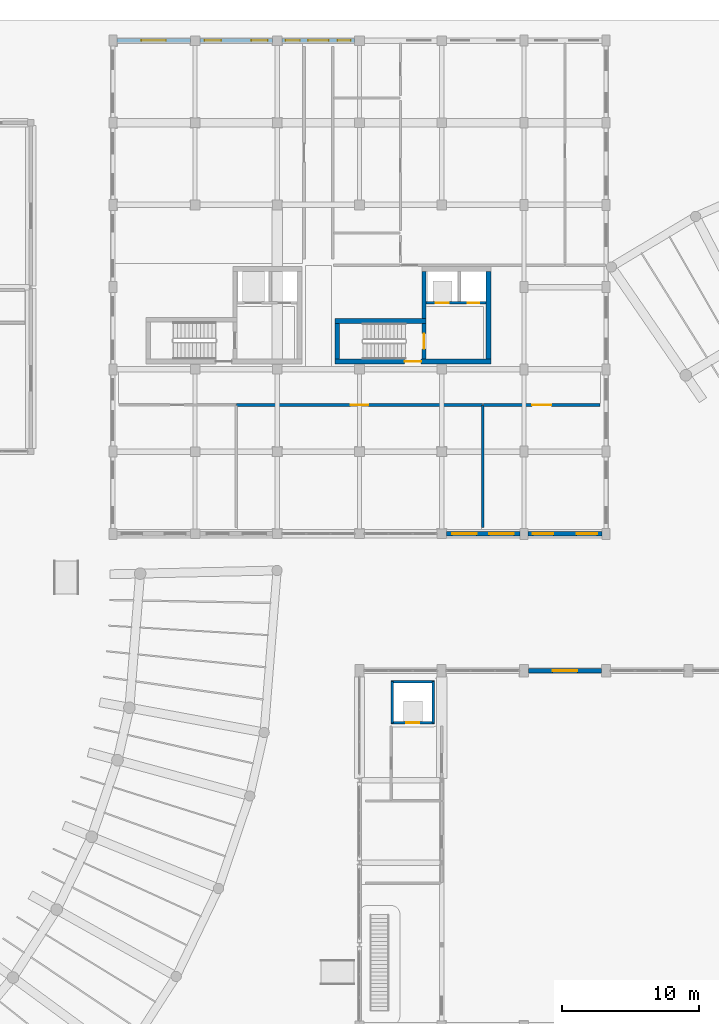
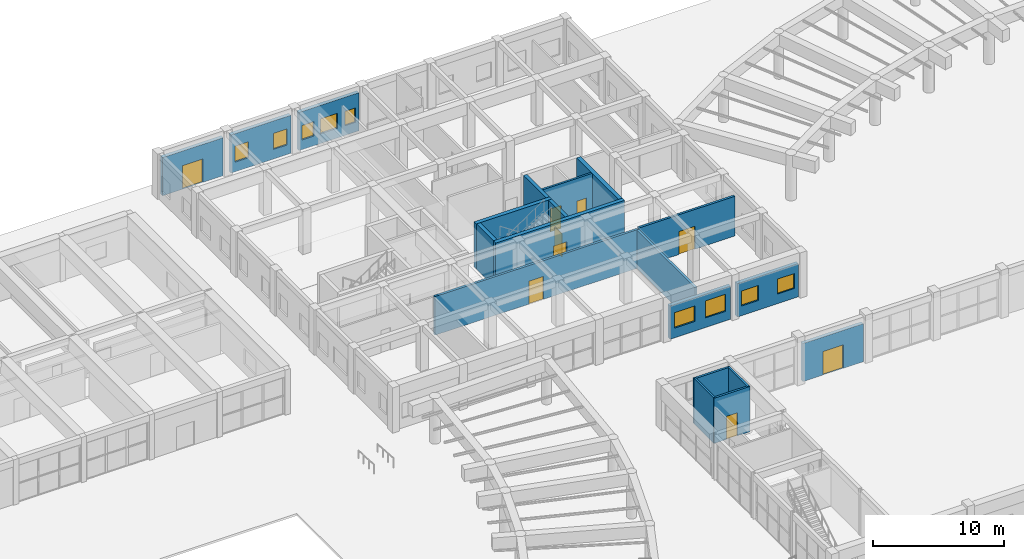
# One storey, part 56 of 76: 20 walls, 9 doors, 9 windows, 18 openings.
"""IFC4 building model written with IfcOpenShell, lengths in metres."""

from ifc_helpers import new_model, si_unit, direction, frame, frame_2d, origin, place, context, subcontext, project, spatial, rectangle, extrude, material, layer, layer_set, type_object, element, fill, save


model = new_model("IFC4")

# Units and contexts
model_context = context("Model", 3, precision=1e-05, world=origin(), true_north=direction((0.0, 1.0)))
body_context = subcontext(model_context, "Body", "Model", "MODEL_VIEW")
ifc_project = project(units=[si_unit("LENGTHUNIT", "METRE"), si_unit("AREAUNIT", "SQUARE_METRE"), si_unit("VOLUMEUNIT", "CUBIC_METRE"), si_unit("PLANEANGLEUNIT", "RADIAN"), si_unit("MASSUNIT", "GRAM", prefix="KILO"), si_unit("POWERUNIT", "WATT"), si_unit("THERMODYNAMICTEMPERATUREUNIT", "KELVIN")], contexts=[model_context])

# Site, building, storey
site_placement = place(None, origin())
site = spatial("IfcSite", under=ifc_project, at=site_placement, CompositionType="ELEMENT")
building_placement = place(site_placement, origin())
building = spatial("IfcBuilding", under=site, at=building_placement, Name="Ruvembo Vaulted Housing Court", CompositionType="ELEMENT")
storey_placement = place(building_placement, origin())
storey = spatial("IfcBuildingStorey", under=building, at=storey_placement, Name="L00", CompositionType="ELEMENT", Elevation=0.0)

# Wall, opening, door
ifc_material_1 = material(Name="Concrete C35/45", Category="concrete")
ifc_layer_1 = layer(ifc_material_1, 0.300048828125, Name="Concrete C35/45")
ifc_layer_set_1 = layer_set([ifc_layer_1], Name="Concrete C35/45")
wall_type_1 = type_object("IfcWallType", Name="WL-CORE-300", PredefinedType="SHEAR", material=ifc_layer_set_1)
wall_1_placement = place(storey_placement, frame((70.699951171875, 90.75, 0.0), z_axis=(0.0, 0.0, 1.0), x_axis=(0.0, 1.0, 0.0)))
wall_1 = element("IfcWall", 1, at=wall_1_placement, inside=storey, type_object=wall_type_1, Name="Core B2 L00 Stair-Lobby Shear Wall", PredefinedType="SHEAR", context=body_context, shape_type="SweptSolid", body=[
    extrude(rectangle(XDim=2.60009765625, YDim=0.300048828125, at=frame_2d((1.300048828125, 0.0))), origin(), (0.0, 0.0, 1.0), 4.22998046875),
])
opening_1_placement = place(wall_1_placement, frame((0.75, 0.0, 0.0)))
opening_1 = element("IfcOpeningElement", 2, at=opening_1_placement, cuts=wall_1, Name="Opening SD2", PredefinedType="OPENING", context=body_context, shape_type="SweptSolid", body=[
    extrude(rectangle(XDim=1.10009765625, YDim=2.14990234375, at=frame_2d((0.550048828125, 1.074951171875))), frame((0.0, 0.159912109375, 0.0), z_axis=(0.0, -1.0, 0.0), x_axis=(1.0, 0.0, 0.0)), (0.0, 0.0, 1.0), 0.320068359375),
])
ifc_material_2 = material(Name="Galvanised Painted Steel", Category="steel")
door_type_1 = type_object("IfcDoorType", Name="DR-STAIR-1100x2150", OperationType="NOTDEFINED", PredefinedType="DOOR", material=ifc_material_2)
door_1_placement = place(opening_1_placement, origin())
door_1 = element("IfcDoor", 3, at=door_1_placement, inside=storey, type_object=door_type_1, Name="Stair ST-B2 L00 Fire Door", OperationType="SINGLE_SWING_RIGHT", OverallHeight=2.14990234375, OverallWidth=1.10009765625, PredefinedType="DOOR", context=body_context, shape_type="SweptSolid", body=[
    extrude(rectangle(XDim=1.10009765625, YDim=2.14990234375, at=frame_2d((0.550048828125, 1.074951171875))), frame((0.0, 0.02490234375, 0.0), z_axis=(0.0, -1.0, 0.0), x_axis=(1.0, 0.0, 0.0)), (0.0, 0.0, 1.0), 0.050048828125),
])
fill(opening_1, door_1)

# Wall
wall_2_placement = place(storey_placement, frame((70.699951171875, 93.699951171875, 0.0), z_axis=(0.0, 0.0, 1.0), x_axis=(0.0, 1.0, 0.0)))
element("IfcWall", 4, at=wall_2_placement, inside=storey, type_object=wall_type_1, Name="Core B2 L00 Upper West Shear Wall", PredefinedType="SHEAR", context=body_context, shape_type="SweptSolid", body=[
    extrude(rectangle(XDim=3.449951171875, YDim=0.300048828125, at=frame_2d((1.72509765625, 0.0))), origin(), (0.0, 0.0, 1.0), 4.22998046875),
])

# Wall, opening, door
ifc_layer_2 = layer(ifc_material_1, 0.35009765625, Name="Concrete C35/45")
ifc_layer_set_2 = layer_set([ifc_layer_2], Name="Concrete C35/45")
wall_type_2 = type_object("IfcWallType", Name="WL-CORE-350", PredefinedType="SHEAR", material=ifc_layer_set_2)
wall_3_placement = place(storey_placement, frame((64.199951171875, 90.574951171875, 0.0), z_axis=(0.0, 0.0, 1.0), x_axis=(1.0, 0.0, 0.0)))
wall_3 = element("IfcWall", 5, at=wall_3_placement, inside=storey, type_object=wall_type_2, Name="Core B2 L00 South Shear Wall", PredefinedType="SHEAR", context=body_context, shape_type="SweptSolid", body=[
    extrude(rectangle(XDim=11.400146484375, YDim=0.35009765625, at=frame_2d((5.7001953125, 0.0))), origin(), (0.0, 0.0, 1.0), 4.22998046875),
])
opening_2_placement = place(wall_3_placement, frame((5.10009765625, 0.0, 0.0)))
opening_2 = element("IfcOpeningElement", 6, at=opening_2_placement, cuts=wall_3, Name="Opening LD3", PredefinedType="OPENING", context=body_context, shape_type="SweptSolid", body=[
    extrude(rectangle(XDim=1.199951171875, YDim=2.14990234375, at=frame_2d((0.60009765625, 1.074951171875))), frame((0.0, 0.18505859375, 0.0), z_axis=(0.0, -1.0, 0.0), x_axis=(1.0, 0.0, 0.0)), (0.0, 0.0, 1.0), 0.3701171875),
])
door_type_2 = type_object("IfcDoorType", Name="DR-LOB-1200x2150", OperationType="NOTDEFINED", PredefinedType="DOOR", material=ifc_material_2)
door_2_placement = place(opening_2_placement, origin())
door_2 = element("IfcDoor", 7, at=door_2_placement, inside=storey, type_object=door_type_2, Name="Core B2 L00 Lobby Fire Door", OperationType="SINGLE_SWING_LEFT", OverallHeight=2.14990234375, OverallWidth=1.199951171875, PredefinedType="DOOR", context=body_context, shape_type="SweptSolid", body=[
    extrude(rectangle(XDim=1.199951171875, YDim=2.14990234375, at=frame_2d((0.60009765625, 1.074951171875))), frame((0.0, 0.02490234375, 0.0), z_axis=(0.0, -1.0, 0.0), x_axis=(1.0, 0.0, 0.0)), (0.0, 0.0, 1.0), 0.050048828125),
])
fill(opening_2, door_2)

# Walls
wall_4_placement = place(storey_placement, frame((70.85009765625, 93.52490234375, 0.0), z_axis=(0.0, 0.0, 1.0), x_axis=(-1.0, 0.0, 0.0)))
element("IfcWall", 8, at=wall_4_placement, inside=storey, type_object=wall_type_2, Name="Core B2 L00 Stair North Shear Wall", PredefinedType="SHEAR", context=body_context, shape_type="SweptSolid", body=[
    extrude(rectangle(XDim=6.650146484375, YDim=0.35009765625, at=frame_2d((3.3251953125, 0.0))), origin(), (0.0, 0.0, 1.0), 4.22998046875),
])
wall_5_placement = place(storey_placement, frame((64.375, 93.35009765625, 0.0), z_axis=(0.0, 0.0, 1.0), x_axis=(0.0, -1.0, 0.0)))
element("IfcWall", 9, at=wall_5_placement, inside=storey, type_object=wall_type_2, Name="Core B2 L00 Stair West Shear Wall", PredefinedType="SHEAR", context=body_context, shape_type="SweptSolid", body=[
    extrude(rectangle(XDim=2.60009765625, YDim=0.35009765625, at=frame_2d((1.300048828125, 0.0))), origin(), (0.0, 0.0, 1.0), 4.22998046875),
])
wall_6_placement = place(storey_placement, frame((75.425048828125, 90.75, 0.0), z_axis=(0.0, 0.0, 1.0), x_axis=(0.0, 1.0, 0.0)))
element("IfcWall", 10, at=wall_6_placement, inside=storey, type_object=wall_type_2, Name="Core B2 L00 East Shear Wall", PredefinedType="SHEAR", context=body_context, shape_type="SweptSolid", body=[
    extrude(rectangle(XDim=6.39990234375, YDim=0.35009765625, at=frame_2d((3.199951171875, 0.0))), origin(), (0.0, 0.0, 1.0), 4.22998046875),
])

# Wall, opening, door
ifc_material_3 = material(Name="Concrete Blockwork 200", Category="masonry")
ifc_layer_3 = layer(ifc_material_3, 0.199951171875, Name="Concrete Blockwork 200")
ifc_layer_set_3 = layer_set([ifc_layer_3], Name="Concrete Blockwork 200")
wall_type_3 = type_object("IfcWallType", Name="WL-CORR-200", PredefinedType="SOLIDWALL", material=ifc_layer_set_3)
wall_7_placement = place(storey_placement, frame((57.0400390625, 87.39990234375, 0.0), z_axis=(0.0, 0.0, 1.0), x_axis=(1.0, 0.0, 0.0)))
wall_7 = element("IfcWall", 11, at=wall_7_placement, inside=storey, type_object=wall_type_3, Name="L00 Block B Lobby WL-INT-L00-00109", PredefinedType="SOLIDWALL", context=body_context, shape_type="SweptSolid", body=[
    extrude(rectangle(XDim=17.919921875, YDim=0.199951171875, at=frame_2d((8.9599609375, 0.0))), origin(), (0.0, 0.0, 1.0), 3.612060546875),
])
opening_3_placement = place(wall_7_placement, frame((8.31005859375, 0.0, 0.0)))
opening_3 = element("IfcOpeningElement", 12, at=opening_3_placement, cuts=wall_7, Name="Opening CD2", PredefinedType="OPENING", context=body_context, shape_type="SweptSolid", body=[
    extrude(rectangle(XDim=1.300048828125, YDim=2.14990234375, at=frame_2d((0.64990234375, 1.074951171875))), frame((0.0, 0.10986328125, 0.0), z_axis=(0.0, -1.0, 0.0), x_axis=(1.0, 0.0, 0.0)), (0.0, 0.0, 1.0), 0.219970703125),
])
ifc_material_4 = material(Name="FSC Hardwood and Engineered Timber", Category="wood")
door_type_3 = type_object("IfcDoorType", Name="DR-CIVIC-1300x2150", OperationType="NOTDEFINED", PredefinedType="DOOR", material=ifc_material_4)
door_3_placement = place(opening_3_placement, origin())
door_3 = element("IfcDoor", 13, at=door_3_placement, inside=storey, type_object=door_type_3, Name="L00 Block B Lobby Door DR-INT-L00-00047", OperationType="SINGLE_SWING_LEFT", OverallHeight=2.14990234375, OverallWidth=1.300048828125, PredefinedType="DOOR", context=body_context, shape_type="SweptSolid", body=[
    extrude(rectangle(XDim=1.300048828125, YDim=2.14990234375, at=frame_2d((0.64990234375, 1.074951171875))), frame((0.0, 0.02490234375, 0.0), z_axis=(0.0, -1.0, 0.0), x_axis=(1.0, 0.0, 0.0)), (0.0, 0.0, 1.0), 0.050048828125),
])
fill(opening_3, door_3)

# Wall
wall_8_placement = place(storey_placement, frame((75.0, 78.43994140625, 0.0), z_axis=(0.0, 0.0, 1.0), x_axis=(0.0, 1.0, 0.0)))
element("IfcWall", 14, at=wall_8_placement, inside=storey, type_object=wall_type_3, Name="L00 Lobby E WL-INT-L00-00110", PredefinedType="SOLIDWALL", context=body_context, shape_type="SweptSolid", body=[
    extrude(rectangle(XDim=8.920166015625, YDim=0.199951171875, at=frame_2d((4.4599609375, 0.0))), origin(), (0.0, 0.0, 1.0), 3.56201171875),
])

# Wall, opening, door
wall_9_placement = place(storey_placement, frame((75.0400390625, 87.39990234375, 0.0), z_axis=(0.0, 0.0, 1.0), x_axis=(1.0, 0.0, 0.0)))
wall_9 = element("IfcWall", 15, at=wall_9_placement, inside=storey, type_object=wall_type_3, Name="L00 Mobility Hub B WL-INT-L00-00111", PredefinedType="SOLIDWALL", context=body_context, shape_type="SweptSolid", body=[
    extrude(rectangle(XDim=8.52001953125, YDim=0.199951171875, at=frame_2d((4.260009765625, 0.0))), origin(), (0.0, 0.0, 1.0), 3.7119140625),
])
opening_4_placement = place(wall_9_placement, frame((3.56005859375, 0.0, 0.0)))
opening_4 = element("IfcOpeningElement", 16, at=opening_4_placement, cuts=wall_9, Name="Opening CD1", PredefinedType="OPENING", context=body_context, shape_type="SweptSolid", body=[
    extrude(rectangle(XDim=1.39990234375, YDim=2.14990234375, at=frame_2d((0.699951171875, 1.074951171875))), frame((0.0, 0.10986328125, 0.0), z_axis=(0.0, -1.0, 0.0), x_axis=(1.0, 0.0, 0.0)), (0.0, 0.0, 1.0), 0.219970703125),
])
door_type_4 = type_object("IfcDoorType", Name="DR-CIVIC-1400x2150", OperationType="NOTDEFINED", PredefinedType="DOOR", material=ifc_material_4)
door_4_placement = place(opening_4_placement, origin())
door_4 = element("IfcDoor", 17, at=door_4_placement, inside=storey, type_object=door_type_4, Name="L00 Mobility Hub B Door DR-INT-L00-00048", OperationType="SINGLE_SWING_RIGHT", OverallHeight=2.14990234375, OverallWidth=1.39990234375, PredefinedType="DOOR", context=body_context, shape_type="SweptSolid", body=[
    extrude(rectangle(XDim=1.39990234375, YDim=2.14990234375, at=frame_2d((0.699951171875, 1.074951171875))), frame((0.0, 0.02490234375, 0.0), z_axis=(0.0, -1.0, 0.0), x_axis=(1.0, 0.0, 0.0)), (0.0, 0.0, 1.0), 0.050048828125),
])
fill(opening_4, door_4)

ifc_material_5 = material(Name="Rendered Masonry 300", Category="masonry")
ifc_layer_4 = layer(ifc_material_5, 0.300048828125, Name="Rendered Masonry 300")
ifc_layer_set_4 = layer_set([ifc_layer_4], Name="Rendered Masonry 300")
wall_type_4 = type_object("IfcWallType", Name="WL-EXT-300", PredefinedType="STANDARD", material=ifc_layer_set_4)
wall_10_placement = place(storey_placement, frame((83.675048828125, 68.0, 0.0), z_axis=(0.0, 0.0, 1.0), x_axis=(-1.0, 0.0, 0.0)))
wall_10 = element("IfcWall", 18, at=wall_10_placement, inside=storey, type_object=wall_type_4, Name="Community Hall L00 Entrance Bay N3", PredefinedType="STANDARD", context=body_context, shape_type="SweptSolid", body=[
    extrude(rectangle(XDim=5.35009765625, YDim=0.300048828125, at=frame_2d((2.675048828125, 0.0))), origin(), (0.0, 0.0, 1.0), 3.56201171875),
])
opening_5_placement = place(wall_10_placement, frame((1.77490234375, 0.0, 0.0)))
opening_5 = element("IfcOpeningElement", 19, at=opening_5_placement, cuts=wall_10, Name="Opening EX1", PredefinedType="OPENING", context=body_context, shape_type="SweptSolid", body=[
    extrude(rectangle(XDim=1.800048828125, YDim=2.199951171875, at=frame_2d((0.89990234375, 1.10009765625))), frame((0.0, 0.159912109375, 0.0), z_axis=(0.0, -1.0, 0.0), x_axis=(1.0, 0.0, 0.0)), (0.0, 0.0, 1.0), 0.320068359375),
])
ifc_material_6 = material(Name="Thermally Broken Glazed Aluminium", Category="aluminium")
door_type_5 = type_object("IfcDoorType", Name="DR-EXIT-1800x2200", OperationType="NOTDEFINED", PredefinedType="DOOR", material=ifc_material_6)
door_5_placement = place(opening_5_placement, frame((1.800048828125, 0.0, 0.0), z_axis=(0.0, 0.0, 1.0), x_axis=(-1.0, 0.0, 0.0)))
door_5 = element("IfcDoor", 20, at=door_5_placement, inside=storey, type_object=door_type_5, Name="Community Hall Final Exit N3", OperationType="DOUBLE_DOOR_SINGLE_SWING", OverallHeight=2.199951171875, OverallWidth=1.800048828125, PredefinedType="DOOR", context=body_context, shape_type="SweptSolid", body=[
    extrude(rectangle(XDim=1.800048828125, YDim=2.199951171875, at=frame_2d((0.89990234375, 1.10009765625))), frame((0.0, 0.02490234375, 0.0), z_axis=(0.0, -1.0, 0.0), x_axis=(1.0, 0.0, 0.0)), (0.0, 0.0, 1.0), 0.050048828125),
])
fill(opening_5, door_5)

# Wall, openings, windows
ifc_material_7 = material(Name="Rendered Masonry 320", Category="masonry")
ifc_layer_5 = layer(ifc_material_7, 0.320068359375, Name="Rendered Masonry 320")
ifc_layer_set_5 = layer_set([ifc_layer_5], Name="Rendered Masonry 320")
wall_type_5 = type_object("IfcWallType", Name="WL-EXT-320", PredefinedType="STANDARD", material=ifc_layer_set_5)
wall_11_placement = place(storey_placement, frame((72.35009765625, 78.0, 0.0), z_axis=(0.0, 0.0, 1.0), x_axis=(1.0, 0.0, 0.0)))
wall_11 = element("IfcWall", 21, at=wall_11_placement, inside=storey, type_object=wall_type_5, Name="Block B L00 Exterior Wall COURTYARD #5", PredefinedType="STANDARD", context=body_context, shape_type="SweptSolid", body=[
    extrude(rectangle(XDim=5.349853515625, YDim=0.320068359375, at=frame_2d((2.6748046875, 0.0))), origin(), (0.0, 0.0, 1.0), 3.112060546875),
])
opening_6_placement = place(wall_11_placement, frame((0.405029296875, 0.0, 0.89990234375)))
opening_6 = element("IfcOpeningElement", 22, at=opening_6_placement, cuts=wall_11, Name="Opening W22", PredefinedType="OPENING", context=body_context, shape_type="SweptSolid", body=[
    extrude(rectangle(XDim=1.800048828125, YDim=1.449951171875, at=frame_2d((0.89990234375, 0.72509765625))), frame((0.0, 0.169921875, 0.0), z_axis=(0.0, -1.0, 0.0), x_axis=(1.0, 0.0, 0.0)), (0.0, 0.0, 1.0), 0.340087890625),
])
opening_7_placement = place(wall_11_placement, frame((3.1201171875, 0.0, 0.89990234375)))
opening_7 = element("IfcOpeningElement", 23, at=opening_7_placement, cuts=wall_11, Name="Opening W23", PredefinedType="OPENING", context=body_context, shape_type="SweptSolid", body=[
    extrude(rectangle(XDim=1.800048828125, YDim=1.60009765625, at=frame_2d((0.89990234375, 0.800048828125))), frame((0.0, 0.169921875, 0.0), z_axis=(0.0, -1.0, 0.0), x_axis=(1.0, 0.0, 0.0)), (0.0, 0.0, 1.0), 0.340087890625),
])
ifc_material_8 = material(Name="Double Solar-Control Glazing in Aluminium Frame", Category="aluminium")
window_type_1 = type_object("IfcWindowType", Name="WIN-1800x1450", PartitioningType="SINGLE_PANEL", PredefinedType="WINDOW", material=ifc_material_8)
window_1_placement = place(opening_6_placement, origin())
window_1 = element("IfcWindow", 24, at=window_1_placement, inside=storey, type_object=window_type_1, Name="Block B L00 Window #608", OverallHeight=1.449951171875, OverallWidth=1.800048828125, PartitioningType="SINGLE_PANEL", PredefinedType="WINDOW", context=body_context, shape_type="SweptSolid", body=[
    extrude(rectangle(XDim=1.800048828125, YDim=1.449951171875, at=frame_2d((0.89990234375, 0.72509765625))), frame((0.0, 0.030029296875, 0.0), z_axis=(0.0, -1.0, 0.0), x_axis=(1.0, 0.0, 0.0)), (0.0, 0.0, 1.0), 0.06005859375),
])
fill(opening_6, window_1)
window_type_2 = type_object("IfcWindowType", Name="WIN-1800x1600", PartitioningType="SINGLE_PANEL", PredefinedType="WINDOW", material=ifc_material_8)
window_2_placement = place(opening_7_placement, origin())
window_2 = element("IfcWindow", 25, at=window_2_placement, inside=storey, type_object=window_type_2, Name="Block B L00 Window #609", OverallHeight=1.60009765625, OverallWidth=1.800048828125, PartitioningType="SINGLE_PANEL", PredefinedType="WINDOW", context=body_context, shape_type="SweptSolid", body=[
    extrude(rectangle(XDim=1.800048828125, YDim=1.60009765625, at=frame_2d((0.89990234375, 0.800048828125))), frame((0.0, 0.030029296875, 0.0), z_axis=(0.0, -1.0, 0.0), x_axis=(1.0, 0.0, 0.0)), (0.0, 0.0, 1.0), 0.06005859375),
])
fill(opening_7, window_2)

wall_12_placement = place(storey_placement, frame((78.300048828125, 78.0, 0.0), z_axis=(0.0, 0.0, 1.0), x_axis=(1.0, 0.0, 0.0)))
wall_12 = element("IfcWall", 26, at=wall_12_placement, inside=storey, type_object=wall_type_5, Name="Block B L00 Exterior Wall COURTYARD #6", PredefinedType="STANDARD", context=body_context, shape_type="SweptSolid", body=[
    extrude(rectangle(XDim=5.39990234375, YDim=0.320068359375, at=frame_2d((2.699951171875, 0.0))), origin(), (0.0, 0.0, 1.0), 3.112060546875),
])
opening_8_placement = place(wall_12_placement, frame((0.35009765625, 0.0, 0.89990234375)))
opening_8 = element("IfcOpeningElement", 27, at=opening_8_placement, cuts=wall_12, Name="Opening W18", PredefinedType="OPENING", context=body_context, shape_type="SweptSolid", body=[
    extrude(rectangle(XDim=1.5, YDim=1.39990234375, at=frame_2d((0.75, 0.699951171875))), frame((0.0, 0.169921875, 0.0), z_axis=(0.0, -1.0, 0.0), x_axis=(1.0, 0.0, 0.0)), (0.0, 0.0, 1.0), 0.340087890625),
])
opening_9_placement = place(wall_12_placement, frame((3.550048828125, 0.0, 0.89990234375)))
opening_9 = element("IfcOpeningElement", 28, at=opening_9_placement, cuts=wall_12, Name="Opening W18", PredefinedType="OPENING", context=body_context, shape_type="SweptSolid", body=[
    extrude(rectangle(XDim=1.5, YDim=1.39990234375, at=frame_2d((0.75, 0.699951171875))), frame((0.0, 0.169921875, 0.0), z_axis=(0.0, -1.0, 0.0), x_axis=(1.0, 0.0, 0.0)), (0.0, 0.0, 1.0), 0.340087890625),
])
window_type_3 = type_object("IfcWindowType", Name="WIN-1500x1400", PartitioningType="SINGLE_PANEL", PredefinedType="WINDOW", material=ifc_material_8)
window_3_placement = place(opening_8_placement, origin())
window_3 = element("IfcWindow", 29, at=window_3_placement, inside=storey, type_object=window_type_3, Name="Block B L00 Window #610", OverallHeight=1.39990234375, OverallWidth=1.5, PartitioningType="SINGLE_PANEL", PredefinedType="WINDOW", context=body_context, shape_type="SweptSolid", body=[
    extrude(rectangle(XDim=1.5, YDim=1.39990234375, at=frame_2d((0.75, 0.699951171875))), frame((0.0, 0.030029296875, 0.0), z_axis=(0.0, -1.0, 0.0), x_axis=(1.0, 0.0, 0.0)), (0.0, 0.0, 1.0), 0.06005859375),
])
fill(opening_8, window_3)
window_4_placement = place(opening_9_placement, origin())
window_4 = element("IfcWindow", 30, at=window_4_placement, inside=storey, type_object=window_type_3, Name="Block B L00 Window #611", OverallHeight=1.39990234375, OverallWidth=1.5, PartitioningType="SINGLE_PANEL", PredefinedType="WINDOW", context=body_context, shape_type="SweptSolid", body=[
    extrude(rectangle(XDim=1.5, YDim=1.39990234375, at=frame_2d((0.75, 0.699951171875))), frame((0.0, 0.030029296875, 0.0), z_axis=(0.0, -1.0, 0.0), x_axis=(1.0, 0.0, 0.0)), (0.0, 0.0, 1.0), 0.06005859375),
])
fill(opening_9, window_4)

wall_13_placement = place(storey_placement, frame((65.64990234375, 114.0, 0.0), z_axis=(0.0, 0.0, 1.0), x_axis=(-1.0, 0.0, 0.0)))
wall_13 = element("IfcWall", 31, at=wall_13_placement, inside=storey, type_object=wall_type_5, Name="Block B L00 Exterior Wall STREET #4", PredefinedType="STANDARD", context=body_context, shape_type="SweptSolid", body=[
    extrude(rectangle(XDim=5.2998046875, YDim=0.320068359375, at=frame_2d((2.64990234375, 0.0))), origin(), (0.0, 0.0, 1.0), 3.56201171875),
])
opening_10_placement = place(wall_13_placement, frame((0.304931640625, 0.0, 0.89990234375)))
opening_10 = element("IfcOpeningElement", 32, at=opening_10_placement, cuts=wall_13, Name="Opening W07", PredefinedType="OPENING", context=body_context, shape_type="SweptSolid", body=[
    extrude(rectangle(XDim=0.949951171875, YDim=1.35009765625, at=frame_2d((0.47509765625, 0.675048828125))), frame((0.0, 0.169921875, 0.0), z_axis=(0.0, -1.0, 0.0), x_axis=(1.0, 0.0, 0.0)), (0.0, 0.0, 1.0), 0.340087890625),
])
opening_11_placement = place(wall_13_placement, frame((1.89990234375, 0.0, 0.89990234375)))
opening_11 = element("IfcOpeningElement", 33, at=opening_11_placement, cuts=wall_13, Name="Opening W18", PredefinedType="OPENING", context=body_context, shape_type="SweptSolid", body=[
    extrude(rectangle(XDim=1.5, YDim=1.39990234375, at=frame_2d((0.75, 0.699951171875))), frame((0.0, 0.169921875, 0.0), z_axis=(0.0, -1.0, 0.0), x_axis=(1.0, 0.0, 0.0)), (0.0, 0.0, 1.0), 0.340087890625),
])
opening_12_placement = place(wall_13_placement, frame((3.9951171875, 0.0, 0.89990234375)))
opening_12 = element("IfcOpeningElement", 34, at=opening_12_placement, cuts=wall_13, Name="Opening W09", PredefinedType="OPENING", context=body_context, shape_type="SweptSolid", body=[
    extrude(rectangle(XDim=1.050048828125, YDim=1.35009765625, at=frame_2d((0.52490234375, 0.675048828125))), frame((0.0, 0.169921875, 0.0), z_axis=(0.0, -1.0, 0.0), x_axis=(1.0, 0.0, 0.0)), (0.0, 0.0, 1.0), 0.340087890625),
])
window_type_4 = type_object("IfcWindowType", Name="WIN-0950x1350", PartitioningType="SINGLE_PANEL", PredefinedType="WINDOW", material=ifc_material_8)
window_5_placement = place(opening_10_placement, origin())
window_5 = element("IfcWindow", 35, at=window_5_placement, inside=storey, type_object=window_type_4, Name="Block B L00 Window #627", OverallHeight=1.35009765625, OverallWidth=0.949951171875, PartitioningType="SINGLE_PANEL", PredefinedType="WINDOW", context=body_context, shape_type="SweptSolid", body=[
    extrude(rectangle(XDim=0.949951171875, YDim=1.35009765625, at=frame_2d((0.47509765625, 0.675048828125))), frame((0.0, 0.030029296875, 0.0), z_axis=(0.0, -1.0, 0.0), x_axis=(1.0, 0.0, 0.0)), (0.0, 0.0, 1.0), 0.06005859375),
])
fill(opening_10, window_5)
window_type_5 = type_object("IfcWindowType", Name="WIN-1050x1350", PartitioningType="SINGLE_PANEL", PredefinedType="WINDOW", material=ifc_material_8)
window_6_placement = place(opening_12_placement, origin())
window_6 = element("IfcWindow", 36, at=window_6_placement, inside=storey, type_object=window_type_5, Name="Block B L00 Window #629", OverallHeight=1.35009765625, OverallWidth=1.050048828125, PartitioningType="SINGLE_PANEL", PredefinedType="WINDOW", context=body_context, shape_type="SweptSolid", body=[
    extrude(rectangle(XDim=1.050048828125, YDim=1.35009765625, at=frame_2d((0.52490234375, 0.675048828125))), frame((0.0, 0.030029296875, 0.0), z_axis=(0.0, -1.0, 0.0), x_axis=(1.0, 0.0, 0.0)), (0.0, 0.0, 1.0), 0.06005859375),
])
fill(opening_12, window_6)
window_7_placement = place(opening_11_placement, origin())
window_7 = element("IfcWindow", 37, at=window_7_placement, inside=storey, type_object=window_type_3, Name="Block B L00 Window #628", OverallHeight=1.39990234375, OverallWidth=1.5, PartitioningType="SINGLE_PANEL", PredefinedType="WINDOW", context=body_context, shape_type="SweptSolid", body=[
    extrude(rectangle(XDim=1.5, YDim=1.39990234375, at=frame_2d((0.75, 0.699951171875))), frame((0.0, 0.030029296875, 0.0), z_axis=(0.0, -1.0, 0.0), x_axis=(1.0, 0.0, 0.0)), (0.0, 0.0, 1.0), 0.06005859375),
])
fill(opening_11, window_7)

wall_14_placement = place(storey_placement, frame((59.64990234375, 114.0, 0.0), z_axis=(0.0, 0.0, 1.0), x_axis=(-1.0, 0.0, 0.0)))
wall_14 = element("IfcWall", 38, at=wall_14_placement, inside=storey, type_object=wall_type_5, Name="Block B L00 Exterior Wall STREET #5", PredefinedType="STANDARD", context=body_context, shape_type="SweptSolid", body=[
    extrude(rectangle(XDim=5.2998046875, YDim=0.320068359375, at=frame_2d((2.64990234375, 0.0))), origin(), (0.0, 0.0, 1.0), 3.56201171875),
])
opening_13_placement = place(wall_14_placement, frame((0.35009765625, 0.0, 0.89990234375)))
opening_13 = element("IfcOpeningElement", 39, at=opening_13_placement, cuts=wall_14, Name="Opening W14", PredefinedType="OPENING", context=body_context, shape_type="SweptSolid", body=[
    extrude(rectangle(XDim=1.199951171875, YDim=1.5, at=frame_2d((0.60009765625, 0.75))), frame((0.0, 0.169921875, 0.0), z_axis=(0.0, -1.0, 0.0), x_axis=(1.0, 0.0, 0.0)), (0.0, 0.0, 1.0), 0.340087890625),
])
opening_14_placement = place(wall_14_placement, frame((3.75, 0.0, 0.89990234375)))
opening_14 = element("IfcOpeningElement", 40, at=opening_14_placement, cuts=wall_14, Name="Opening W14", PredefinedType="OPENING", context=body_context, shape_type="SweptSolid", body=[
    extrude(rectangle(XDim=1.199951171875, YDim=1.5, at=frame_2d((0.60009765625, 0.75))), frame((0.0, 0.169921875, 0.0), z_axis=(0.0, -1.0, 0.0), x_axis=(1.0, 0.0, 0.0)), (0.0, 0.0, 1.0), 0.340087890625),
])
window_type_6 = type_object("IfcWindowType", Name="WIN-1200x1500", PartitioningType="SINGLE_PANEL", PredefinedType="WINDOW", material=ifc_material_8)
window_8_placement = place(opening_13_placement, origin())
window_8 = element("IfcWindow", 41, at=window_8_placement, inside=storey, type_object=window_type_6, Name="Block B L00 Window #630", OverallHeight=1.5, OverallWidth=1.199951171875, PartitioningType="SINGLE_PANEL", PredefinedType="WINDOW", context=body_context, shape_type="SweptSolid", body=[
    extrude(rectangle(XDim=1.199951171875, YDim=1.5, at=frame_2d((0.60009765625, 0.75))), frame((0.0, 0.030029296875, 0.0), z_axis=(0.0, -1.0, 0.0), x_axis=(1.0, 0.0, 0.0)), (0.0, 0.0, 1.0), 0.06005859375),
])
fill(opening_13, window_8)
window_9_placement = place(opening_14_placement, origin())
window_9 = element("IfcWindow", 42, at=window_9_placement, inside=storey, type_object=window_type_6, Name="Block B L00 Window #631", OverallHeight=1.5, OverallWidth=1.199951171875, PartitioningType="SINGLE_PANEL", PredefinedType="WINDOW", context=body_context, shape_type="SweptSolid", body=[
    extrude(rectangle(XDim=1.199951171875, YDim=1.5, at=frame_2d((0.60009765625, 0.75))), frame((0.0, 0.030029296875, 0.0), z_axis=(0.0, -1.0, 0.0), x_axis=(1.0, 0.0, 0.0)), (0.0, 0.0, 1.0), 0.06005859375),
])
fill(opening_14, window_9)

# Wall, opening, door
wall_15_placement = place(storey_placement, frame((53.64990234375, 114.0, 0.0), z_axis=(0.0, 0.0, 1.0), x_axis=(-1.0, 0.0, 0.0)))
wall_15 = element("IfcWall", 43, at=wall_15_placement, inside=storey, type_object=wall_type_5, Name="Block B L00 Exterior Wall STREET #6", PredefinedType="STANDARD", context=body_context, shape_type="SweptSolid", body=[
    extrude(rectangle(XDim=5.349853515625, YDim=0.320068359375, at=frame_2d((2.6748046875, 0.0))), origin(), (0.0, 0.0, 1.0), 3.56201171875),
])
opening_15_placement = place(wall_15_placement, frame((1.77490234375, 0.0, 0.0)))
opening_15 = element("IfcOpeningElement", 44, at=opening_15_placement, cuts=wall_15, Name="Opening EX1", PredefinedType="OPENING", context=body_context, shape_type="SweptSolid", body=[
    extrude(rectangle(XDim=1.800048828125, YDim=2.199951171875, at=frame_2d((0.89990234375, 1.10009765625))), frame((0.0, 0.169921875, 0.0), z_axis=(0.0, -1.0, 0.0), x_axis=(1.0, 0.0, 0.0)), (0.0, 0.0, 1.0), 0.340087890625),
])
door_6_placement = place(opening_15_placement, frame((1.800048828125, 0.0, 0.0), z_axis=(0.0, 0.0, 1.0), x_axis=(-1.0, 0.0, 0.0)))
door_6 = element("IfcDoor", 45, at=door_6_placement, inside=storey, type_object=door_type_5, Name="Block B Final Exit Door DR-EXIT-B-026", OperationType="DOUBLE_DOOR_SINGLE_SWING", OverallHeight=2.199951171875, OverallWidth=1.800048828125, PredefinedType="DOOR", context=body_context, shape_type="SweptSolid", body=[
    extrude(rectangle(XDim=1.800048828125, YDim=2.199951171875, at=frame_2d((0.89990234375, 1.10009765625))), frame((0.0, 0.02490234375, 0.0), z_axis=(0.0, -1.0, 0.0), x_axis=(1.0, 0.0, 0.0)), (0.0, 0.0, 1.0), 0.050048828125),
])
fill(opening_15, door_6)

# Wall, openings, doors
ifc_material_9 = material(Name="Fire-Rated Masonry Shaft 180", Category="masonry")
ifc_layer_6 = layer(ifc_material_9, 0.179931640625, Name="Fire-Rated Masonry Shaft 180")
ifc_layer_set_6 = layer_set([ifc_layer_6], Name="Fire-Rated Masonry Shaft 180")
wall_type_6 = type_object("IfcWallType", Name="WL-SHAFT-180", PredefinedType="SOLIDWALL", material=ifc_layer_set_6)
wall_16_placement = place(storey_placement, frame((70.85009765625, 94.85009765625, 0.0), z_axis=(0.0, 0.0, 1.0), x_axis=(1.0, 0.0, 0.0)))
wall_16 = element("IfcWall", 46, at=wall_16_placement, inside=storey, type_object=wall_type_6, Name="Core B2 L00 Lift and Riser Front Wall", PredefinedType="SOLIDWALL", context=body_context, shape_type="SweptSolid", body=[
    extrude(rectangle(XDim=4.39990234375, YDim=0.179931640625, at=frame_2d((2.199951171875, 0.0))), origin(), (0.0, 0.0, 1.0), 4.22998046875),
])
opening_16_placement = place(wall_16_placement, frame((0.72509765625, 0.0, 0.0)))
opening_16 = element("IfcOpeningElement", 47, at=opening_16_placement, cuts=wall_16, Name="Opening LD-LP-B2-L00", PredefinedType="OPENING", context=body_context, shape_type="SweptSolid", body=[
    extrude(rectangle(XDim=0.949951171875, YDim=2.14990234375, at=frame_2d((0.47509765625, 1.074951171875))), frame((0.0, 0.099853515625, 0.0), z_axis=(0.0, -1.0, 0.0), x_axis=(1.0, 0.0, 0.0)), (0.0, 0.0, 1.0), 0.199951171875),
])
opening_17_placement = place(wall_16_placement, frame((3.050048828125, 0.0, 0.0)))
opening_17 = element("IfcOpeningElement", 48, at=opening_17_placement, cuts=wall_16, Name="Opening RD1", PredefinedType="OPENING", context=body_context, shape_type="SweptSolid", body=[
    extrude(rectangle(XDim=0.85009765625, YDim=2.10009765625, at=frame_2d((0.425048828125, 1.050048828125))), frame((0.0, 0.099853515625, 0.0), z_axis=(0.0, -1.0, 0.0), x_axis=(1.0, 0.0, 0.0)), (0.0, 0.0, 1.0), 0.199951171875),
])
ifc_material_10 = material(Name="Brushed Stainless Steel 304", Category="steel")
door_type_6 = type_object("IfcDoorType", Name="DR-LIFT-0950x2150", OperationType="NOTDEFINED", PredefinedType="DOOR", material=ifc_material_10)
door_7_placement = place(opening_16_placement, origin())
door_7 = element("IfcDoor", 49, at=door_7_placement, inside=storey, type_object=door_type_6, Name="Lift LP-B2 L00 Sliding Landing Door", OperationType="SLIDING_TO_LEFT", OverallHeight=2.14990234375, OverallWidth=0.949951171875, PredefinedType="DOOR", context=body_context, shape_type="SweptSolid", body=[
    extrude(rectangle(XDim=0.949951171875, YDim=2.14990234375, at=frame_2d((0.47509765625, 1.074951171875))), frame((0.0, 0.02490234375, 0.0), z_axis=(0.0, -1.0, 0.0), x_axis=(1.0, 0.0, 0.0)), (0.0, 0.0, 1.0), 0.050048828125),
])
fill(opening_16, door_7)
door_type_7 = type_object("IfcDoorType", Name="DR-RISER-0850x2100", OperationType="NOTDEFINED", PredefinedType="DOOR", material=ifc_material_2)
door_8_placement = place(opening_17_placement, frame((0.85009765625, 0.0, 0.0), z_axis=(0.0, 0.0, 1.0), x_axis=(-1.0, 0.0, 0.0)))
door_8 = element("IfcDoor", 50, at=door_8_placement, inside=storey, type_object=door_type_7, Name="Core B2 L00 Service Riser Door", OperationType="SINGLE_SWING_LEFT", OverallHeight=2.10009765625, OverallWidth=0.85009765625, PredefinedType="DOOR", context=body_context, shape_type="SweptSolid", body=[
    extrude(rectangle(XDim=0.85009765625, YDim=2.10009765625, at=frame_2d((0.425048828125, 1.050048828125))), frame((0.0, 0.02490234375, 0.0), z_axis=(0.0, -1.0, 0.0), x_axis=(1.0, 0.0, 0.0)), (0.0, 0.0, 1.0), 0.050048828125),
])
fill(opening_17, door_8)

# Wall, opening, door
wall_17_placement = place(storey_placement, frame((68.31005859375, 64.199951171875, 0.0), z_axis=(0.0, 0.0, 1.0), x_axis=(1.0, 0.0, 0.0)))
wall_17 = element("IfcWall", 51, at=wall_17_placement, inside=storey, type_object=wall_type_6, Name="Hall Lift LP-H1 L00 Front Shaft Wall", PredefinedType="SOLIDWALL", context=body_context, shape_type="SweptSolid", body=[
    extrude(rectangle(XDim=3.179931640625, YDim=0.179931640625, at=frame_2d((1.58984375, 0.0))), origin(), (0.0, 0.0, 1.0), 4.22998046875),
])
opening_18_placement = place(wall_17_placement, frame((1.114990234375, 0.0, 0.0)))
opening_18 = element("IfcOpeningElement", 52, at=opening_18_placement, cuts=wall_17, Name="Opening LD-LP-H1-L00", PredefinedType="OPENING", context=body_context, shape_type="SweptSolid", body=[
    extrude(rectangle(XDim=0.949951171875, YDim=2.14990234375, at=frame_2d((0.47509765625, 1.074951171875))), frame((0.0, 0.099853515625, 0.0), z_axis=(0.0, -1.0, 0.0), x_axis=(1.0, 0.0, 0.0)), (0.0, 0.0, 1.0), 0.199951171875),
])
door_9_placement = place(opening_18_placement, frame((0.949951171875, 0.0, 0.0), z_axis=(0.0, 0.0, 1.0), x_axis=(-1.0, 0.0, 0.0)))
door_9 = element("IfcDoor", 53, at=door_9_placement, inside=storey, type_object=door_type_6, Name="Hall Lift LP-H1 L00 Sliding Landing Door", OperationType="SLIDING_TO_LEFT", OverallHeight=2.14990234375, OverallWidth=0.949951171875, PredefinedType="DOOR", context=body_context, shape_type="SweptSolid", body=[
    extrude(rectangle(XDim=0.949951171875, YDim=2.14990234375, at=frame_2d((0.47509765625, 1.074951171875))), frame((0.0, 0.02490234375, 0.0), z_axis=(0.0, -1.0, 0.0), x_axis=(1.0, 0.0, 0.0)), (0.0, 0.0, 1.0), 0.050048828125),
])
fill(opening_18, door_9)

# Walls
for number, where, z_axis, x_axis, name in (
    (54, (68.39990234375, 67.199951171875, 0.0), (0.0, 0.0, 1.0), (0.0, -1.0, 0.0), "Hall Lift LP-H1 L00 W Shaft Wall"),
    (55, (71.39990234375, 64.199951171875, 0.0), (0.0, 0.0, 1.0), (0.0, 1.0, 0.0), "Hall Lift LP-H1 L00 E Shaft Wall"),
):
    element("IfcWall", number, at=place(storey_placement, frame(where, z_axis=z_axis, x_axis=x_axis)), inside=storey, type_object=wall_type_6, Name=name, PredefinedType="SOLIDWALL", context=body_context, shape_type="SweptSolid", body=[
        extrude(rectangle(XDim=3.0, YDim=0.179931640625, at=frame_2d((1.5, 0.0))), origin(), (0.0, 0.0, 1.0), 4.22998046875),
    ])
wall_18_placement = place(storey_placement, frame((71.489990234375, 67.199951171875, 0.0), z_axis=(0.0, 0.0, 1.0), x_axis=(-1.0, 0.0, 0.0)))
element("IfcWall", 56, at=wall_18_placement, inside=storey, type_object=wall_type_6, Name="Hall Lift LP-H1 L00 N Shaft Wall", PredefinedType="SOLIDWALL", context=body_context, shape_type="SweptSolid", body=[
    extrude(rectangle(XDim=3.179931640625, YDim=0.179931640625, at=frame_2d((1.58984375, 0.0))), origin(), (0.0, 0.0, 1.0), 4.22998046875),
])

save(model, "model.ifc")
